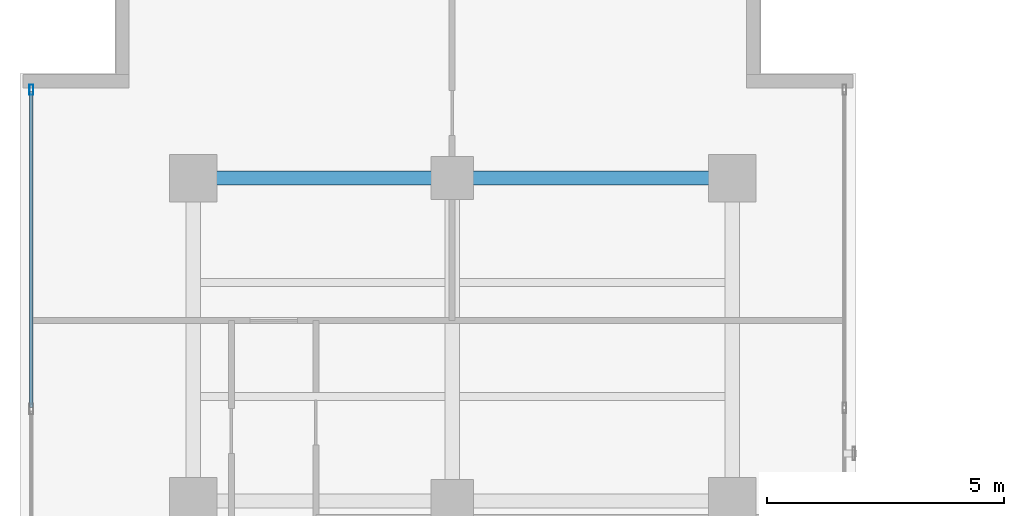
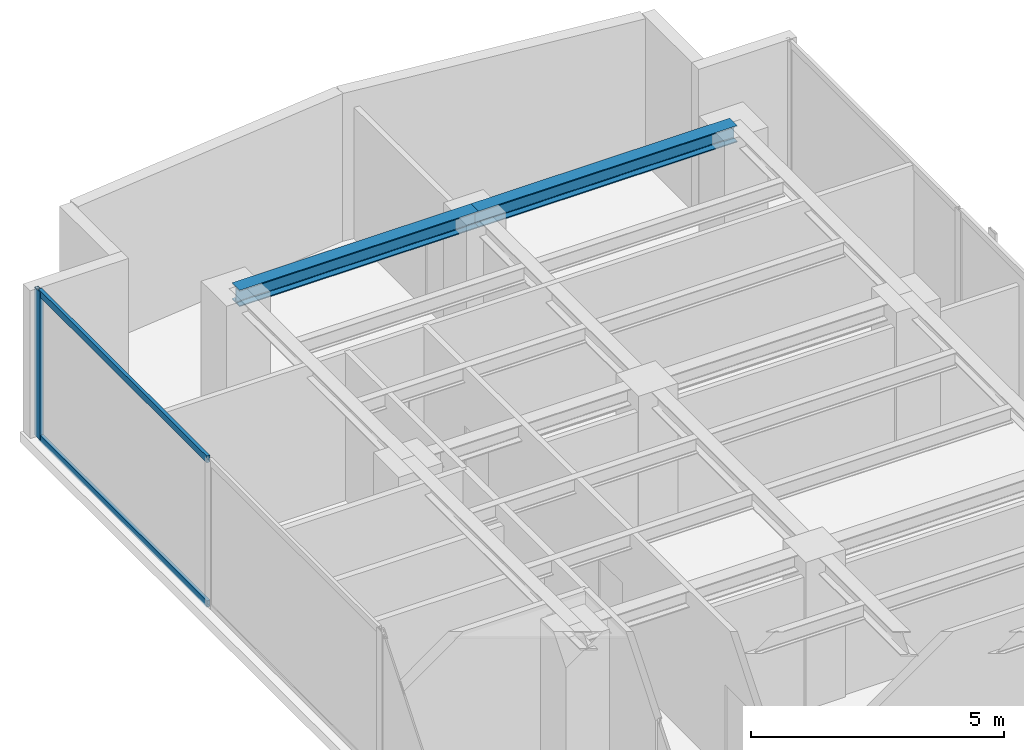
# One storey, part 14 of 23: 3 members, 2 beams, 1 element without a shape of its own.
"""IFC4 building model written with IfcOpenShell, lengths in metres."""

from ifc_helpers import new_model, si_unit, direction, frame, origin, origin_with_axes, origin_2d, place, context, subcontext, project, spatial, hollow_rectangle, i_section, extrude, source, transform, mapped, material, layer, layer_set, material_profile, profile_set, type_object, element, aggregate, save


model = new_model("IFC4")

# Units and contexts
model_context = context("Model", 3, precision=1e-05, world=origin(), true_north=direction((0.0, 1.0)))
body_context = subcontext(model_context, "Body", "Model", "MODEL_VIEW")
ifc_project = project(units=[si_unit("LENGTHUNIT", "METRE"), si_unit("AREAUNIT", "SQUARE_METRE"), si_unit("VOLUMEUNIT", "CUBIC_METRE"), si_unit("PLANEANGLEUNIT", "RADIAN"), si_unit("MASSUNIT", "GRAM", prefix="KILO")], contexts=[model_context])

# Site, building, storey
site_placement = place(None, origin())
site = spatial("IfcSite", under=ifc_project, at=site_placement, CompositionType="ELEMENT")
building_placement = place(site_placement, origin())
building = spatial("IfcBuilding", under=site, at=building_placement, Name="Kolvaren Waterfront Exchange", CompositionType="ELEMENT")
storey_placement = place(building_placement, frame((0.0, 0.0, 231.10009765625)))
storey = spatial("IfcBuildingStorey", under=building, at=storey_placement, Name="L59", CompositionType="ELEMENT", Elevation=231.10009765625)

# Beams
ifc_material_1 = material(Name="Steel S355", Category="steel")
ifc_material_profile_1 = material_profile(ifc_material_1, i_section(OverallWidth=0.300048828125, OverallDepth=0.39990234375, WebThickness=0.013427734375, FlangeThickness=0.02392578125, FilletRadius=0.027099609375, at=origin_2d()), Name="HEB400")
ifc_profile_set_1 = profile_set([ifc_material_profile_1], Name="Steel S355")
beam_type = type_object("IfcBeamType", Name="STR-BM-HEB400", PredefinedType="BEAM", material=ifc_profile_set_1)
beam_1_placement = place(storey_placement, frame((7.449951171875, 44.60009765625, 3.35986328125), z_axis=(1.0, 0.0, 0.0), x_axis=(0.0, 1.0, 0.0)))
element("IfcBeam", 1, at=beam_1_placement, inside=storey, type_object=beam_type, Name="L59 north-arm girder 4A", PredefinedType="BEAM", context=body_context, shape_type="SweptSolid", body=[
    extrude(i_section(OverallWidth=0.300048828125, OverallDepth=0.39990234375, WebThickness=0.013427734375, FlangeThickness=0.02392578125, FilletRadius=0.027099609375, at=origin_2d()), origin(), (0.0, 0.0, 1.0), 5.449951171875),
])
beam_2_placement = place(storey_placement, frame((12.89990234375, 44.60009765625, 3.35986328125), z_axis=(1.0, 0.0, 0.0), x_axis=(0.0, 1.0, 0.0)))
element("IfcBeam", 2, at=beam_2_placement, inside=storey, type_object=beam_type, Name="L59 north-arm girder 4B", PredefinedType="BEAM", context=body_context, shape_type="SweptSolid", body=[
    extrude(i_section(OverallWidth=0.300048828125, OverallDepth=0.39990234375, WebThickness=0.013427734375, FlangeThickness=0.02392578125, FilletRadius=0.027099609375, at=origin_2d()), origin(), (0.0, 0.0, 1.0), 5.900146484375),
])

# Curtain wall, members
ifc_material_2 = material(Name="Anodised aluminium 6063-T6", Category="aluminium")
ifc_layer = layer(ifc_material_2, 0.219970703125, Name="Anodised aluminium 6063-T6")
ifc_layer_set = layer_set([ifc_layer], Name="Anodised aluminium 6063-T6")
curtain_wall_type = type_object("IfcCurtainWallType", Name="ARC-CW-SYS2", PredefinedType="USERDEFINED", material=ifc_layer_set)
curtain_wall_placement = place(storey_placement, origin())
curtain_wall = element("IfcCurtainWall", 3, at=curtain_wall_placement, inside=storey, type_object=curtain_wall_type, Name="L59 stick curtain wall CW2 (CW-L59-W)", ObjectType="STICK CURTAIN WALL", PredefinedType="USERDEFINED")
ifc_material_profile_2 = material_profile(ifc_material_2, hollow_rectangle(XDim=0.074951171875, YDim=0.159912109375, WallThickness=0.00439453125, at=origin_2d()), Name="ALU-TRN-160x75x4.5")
ifc_profile_set_2 = profile_set([ifc_material_profile_2], Name="Anodised aluminium 6063-T6")
member_type_1 = type_object("IfcMemberType", Name="ARC-CWT-160", PredefinedType="USERDEFINED", material=ifc_profile_set_2)
shared_shape_1 = source(origin_with_axes(), body_context, "Body", "SweptSolid", [
    extrude(hollow_rectangle(XDim=0.074951171875, YDim=0.159912109375, WallThickness=0.00439453125, at=origin_2d()), origin(), (0.0, 0.0, 1.0), 6.646484375),
])
member_1_placement = place(storey_placement, frame((4.0400390625, 39.7734375, 0.037353515625), z_axis=(0.0, 1.0, 0.0), x_axis=(-1.0, 0.0, 0.0)))
member_1 = element("IfcMember", 4, at=member_1_placement, type_object=member_type_1, Name="CW2 transom 6.1", ObjectType="TRANSOM", PredefinedType="USERDEFINED", context=body_context, shape_type="MappedRepresentation", body=[
    mapped(shared_shape_1, transform((0.0, 0.0, 0.0), x_axis=(1.0, 0.0, 0.0), y_axis=(0.0, 1.0, 0.0), z_axis=(0.0, 0.0, 1.0), scale=1.0)),
])
member_2_placement = place(storey_placement, frame((4.0400390625, 39.7734375, 3.5224609375), z_axis=(0.0, 1.0, 0.0), x_axis=(-1.0, 0.0, 0.0)))
member_2 = element("IfcMember", 5, at=member_2_placement, type_object=member_type_1, Name="CW2 transom 6.2", ObjectType="TRANSOM", PredefinedType="USERDEFINED", context=body_context, shape_type="MappedRepresentation", body=[
    mapped(shared_shape_1, transform((0.0, 0.0, 0.0), x_axis=(1.0, 0.0, 0.0), y_axis=(0.0, 1.0, 0.0), z_axis=(0.0, 0.0, 1.0), scale=1.0)),
])
ifc_material_profile_3 = material_profile(ifc_material_2, hollow_rectangle(XDim=0.080078125, YDim=0.219970703125, WallThickness=0.0048828125, at=origin_2d()), Name="ALU-MUL-220x80x5")
ifc_profile_set_3 = profile_set([ifc_material_profile_3], Name="Anodised aluminium 6063-T6")
member_type_2 = type_object("IfcMemberType", Name="ARC-CWM-220", PredefinedType="MULLION", material=ifc_profile_set_3)
shared_shape_2 = source(origin_with_axes(), body_context, "Body", "SweptSolid", [
    extrude(hollow_rectangle(XDim=0.080078125, YDim=0.219970703125, WallThickness=0.0048828125, at=origin_2d()), origin(), (0.0, 0.0, 1.0), 3.559814453125),
])
member_3_placement = place(storey_placement, frame((4.0400390625, 46.4599609375, 0.0), z_axis=(0.0, 0.0, 1.0), x_axis=(-1.0, 0.0, 0.0)))
member_3 = element("IfcMember", 6, at=member_3_placement, type_object=member_type_2, Name="CW2 mullion 7", PredefinedType="MULLION", context=body_context, shape_type="MappedRepresentation", body=[
    mapped(shared_shape_2, transform((0.0, 0.0, 0.0), x_axis=(1.0, 0.0, 0.0), y_axis=(0.0, 1.0, 0.0), z_axis=(0.0, 0.0, 1.0), scale=1.0)),
])
aggregate(curtain_wall, [member_3, member_1, member_2])

save(model, "model.ifc")
